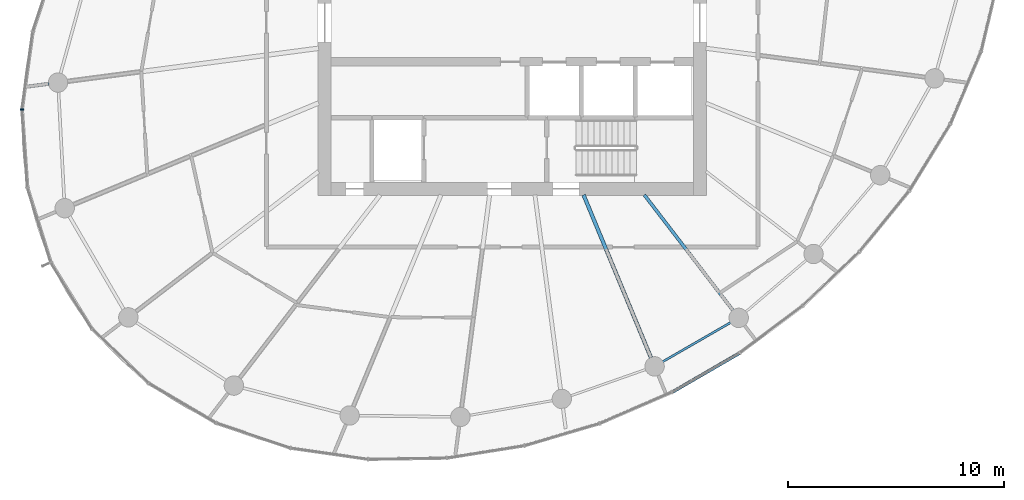
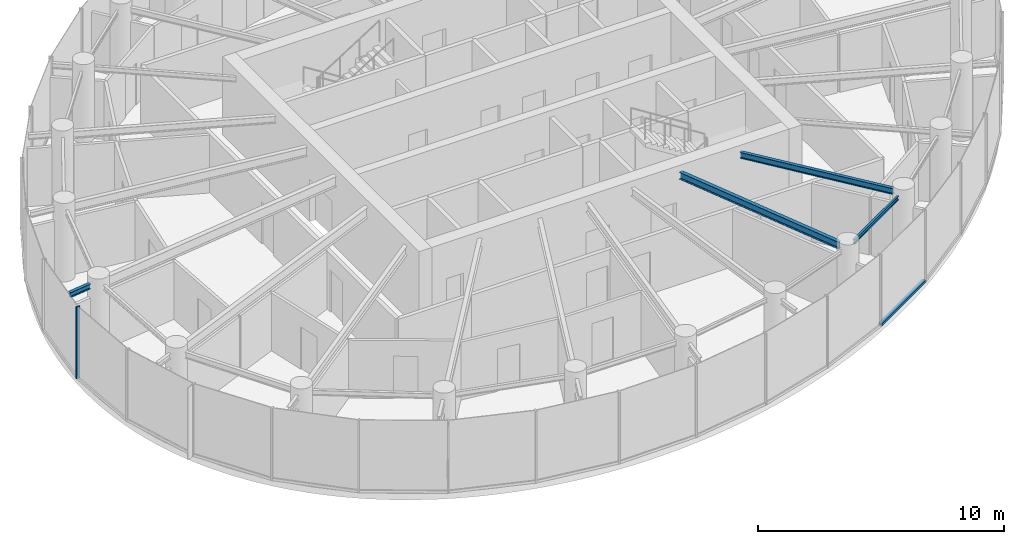
# One storey, part 3 of 15: 4 beams, 2 members, 2 elements without a shape of their own.
"""IFC4 building model written with IfcOpenShell, lengths in metres."""

from ifc_helpers import new_model, si_unit, direction, frame, origin, origin_2d, place, context, subcontext, project, spatial, rectangle, i_section, extrude, source, transform, mapped, material, layer, layer_set, material_profile, profile_set, type_object, element, aggregate, save


model = new_model("IFC4")

# Units and contexts
model_context = context("Model", 3, precision=1e-05, world=origin(), true_north=direction((0.0, 1.0)))
body_context = subcontext(model_context, "Body", "Model", "MODEL_VIEW")
ifc_project = project(units=[si_unit("LENGTHUNIT", "METRE"), si_unit("AREAUNIT", "SQUARE_METRE"), si_unit("VOLUMEUNIT", "CUBIC_METRE"), si_unit("PLANEANGLEUNIT", "RADIAN"), si_unit("MASSUNIT", "GRAM", prefix="KILO")], contexts=[model_context])

# Site, building, storey
site_placement = place(None, origin())
site = spatial("IfcSite", under=ifc_project, at=site_placement, CompositionType="ELEMENT")
building_placement = place(site_placement, origin())
building = spatial("IfcBuilding", under=site, at=building_placement, Name="Spindrift Exchange Tower", CompositionType="ELEMENT")
storey_placement = place(building_placement, frame((0.0, 0.0, 199.39990234375)))
storey = spatial("IfcBuildingStorey", under=building, at=storey_placement, Name="L48", CompositionType="ELEMENT", Elevation=199.39990234375)

# Beams
ifc_material_1 = material(Name="Steel Grade 300", Category="steel")
ifc_material_profile_1 = material_profile(ifc_material_1, i_section(OverallWidth=0.1708984375, OverallDepth=0.35205078125, WebThickness=0.0068359375, FlangeThickness=0.009765625, FilletRadius=0.013916015625, at=origin_2d()), Name="360UB44.7")
ifc_profile_set_1 = profile_set([ifc_material_profile_1], Name="Steel Grade 300")
beam_type_1 = type_object("IfcBeamType", Name="Floor Beam 360UB44.7 Steel Grade 300", PredefinedType="BEAM", material=ifc_profile_set_1)
shared_shape_1 = source(origin(), body_context, "Body", "SweptSolid", [
    extrude(i_section(OverallWidth=0.1708984375, OverallDepth=0.35205078125, WebThickness=0.0068359375, FlangeThickness=0.009765625, FilletRadius=0.013916015625, at=origin_2d()), origin(), (0.0, 0.0, 1.0), 8.1748046875),
])
beam_1_placement = place(storey_placement, frame((55.30615234375, 40.0185546875, 3.404052734375), z_axis=(0.382655117626, -0.923891260352, 0.0), x_axis=(0.923891260352, 0.382655117626, 0.0)))
element("IfcBeam", 1, at=beam_1_placement, inside=storey, type_object=beam_type_1, Name="L48 radial beam R20A", PredefinedType="BEAM", context=body_context, shape_type="MappedRepresentation", body=[
    mapped(shared_shape_1, transform((0.0, 0.0, 0.0), scale=1.0)),
])
ifc_material_profile_2 = material_profile(ifc_material_1, i_section(OverallWidth=0.14892578125, OverallDepth=0.298095703125, WebThickness=0.005615234375, FlangeThickness=0.008056640625, FilletRadius=0.012939453125, at=origin_2d()), Name="310UB32.0")
ifc_profile_set_2 = profile_set([ifc_material_profile_2], Name="Steel Grade 300")
beam_type_2 = type_object("IfcBeamType", Name="Floor Beam 310UB32.0 Steel Grade 300", PredefinedType="BEAM", material=ifc_profile_set_2)
shared_shape_2 = source(origin(), body_context, "Body", "SweptSolid", [
    extrude(i_section(OverallWidth=0.14892578125, OverallDepth=0.298095703125, WebThickness=0.005615234375, FlangeThickness=0.008056640625, FilletRadius=0.012939453125, at=origin_2d()), origin(), (0.0, 0.0, 1.0), 6.753173828125),
])
beam_2_placement = place(storey_placement, frame((58.12646484375, 40.015869140625, 3.43115234375), z_axis=(0.608761639459, -0.793353178807, 0.0), x_axis=(0.793353178807, 0.608761639459, 0.0)))
element("IfcBeam", 2, at=beam_2_placement, inside=storey, type_object=beam_type_2, Name="L48 radial beam R21A", PredefinedType="BEAM", context=body_context, shape_type="MappedRepresentation", body=[
    mapped(shared_shape_2, transform((0.0, 0.0, 0.0), scale=1.0)),
])
ifc_material_profile_3 = material_profile(ifc_material_1, i_section(OverallWidth=0.09912109375, OverallDepth=0.197998046875, WebThickness=0.00439453125, FlangeThickness=0.007080078125, FilletRadius=0.010986328125, at=origin_2d()), Name="200UB18.2")
ifc_profile_set_3 = profile_set([ifc_material_profile_3], Name="Steel Grade 300")
beam_type_3 = type_object("IfcBeamType", Name="Edge Beam 200UB18.2 Steel Grade 300", PredefinedType="SPANDREL", material=ifc_profile_set_3)
shared_shape_3 = source(origin(), body_context, "Body", "SweptSolid", [
    extrude(i_section(OverallWidth=0.09912109375, OverallDepth=0.197998046875, WebThickness=0.00439453125, FlangeThickness=0.007080078125, FilletRadius=0.010986328125, at=origin_2d()), origin(), (0.0, 0.0, 1.0), 3.64208984375),
])
beam_3_placement = place(storey_placement, frame((58.971435546875, 32.283447265625, 3.481201171875), z_axis=(0.866364093123, 0.499412913476, 0.0), x_axis=(-0.499412913476, 0.866364093123, 0.0)))
element("IfcBeam", 3, at=beam_3_placement, inside=storey, type_object=beam_type_3, Name="L48 edge beam E20", PredefinedType="SPANDREL", context=body_context, shape_type="MappedRepresentation", body=[
    mapped(shared_shape_3, transform((0.0, 0.0, 0.0), scale=1.0)),
])
ifc_material_profile_4 = material_profile(ifc_material_1, i_section(OverallWidth=0.14599609375, OverallDepth=0.251953125, WebThickness=0.006103515625, FlangeThickness=0.008544921875, FilletRadius=0.011962890625, at=origin_2d()), Name="250UB31.4")
ifc_profile_set_4 = profile_set([ifc_material_profile_4], Name="Steel Grade 300")
beam_type_4 = type_object("IfcBeamType", Name="Cantilever Beam 250UB31.4 Steel Grade 300", PredefinedType="BEAM", material=ifc_profile_set_4)
shared_shape_4 = source(origin(), body_context, "Body", "SweptSolid", [
    extrude(i_section(OverallWidth=0.14599609375, OverallDepth=0.251953125, WebThickness=0.006103515625, FlangeThickness=0.008544921875, FilletRadius=0.011962890625, at=origin_2d()), origin(), (0.0, 0.0, 1.0), 1.0380859375),
])
beam_4_placement = place(storey_placement, frame((30.511474609375, 45.1708984375, 3.4541015625), z_axis=(-0.991446289497, -0.130515344087, 0.0), x_axis=(0.130515344087, -0.991446289497, 0.0)))
element("IfcBeam", 4, at=beam_4_placement, inside=storey, type_object=beam_type_4, Name="L48 cantilever beam R13T", PredefinedType="BEAM", context=body_context, shape_type="MappedRepresentation", body=[
    mapped(shared_shape_4, transform((0.0, 0.0, 0.0), scale=1.0)),
])

# Curtain wall, member
ifc_material_2 = material(Name="Fritted laminated glass with bronze frame", Category="glass")
ifc_layer = layer(ifc_material_2, 0.169921875)
ifc_layer_set = layer_set([ifc_layer], Name="ZONE 4 BRONZE FRITTED WALL")
curtain_wall_type = type_object("IfcCurtainWallType", Name="ZONE 4 BRONZE FRITTED WALL", PredefinedType="NOTDEFINED", material=ifc_layer_set)
curtain_wall_1_placement = place(storey_placement, origin())
curtain_wall_1 = element("IfcCurtainWall", 5, at=curtain_wall_1_placement, inside=storey, type_object=curtain_wall_type, Name="L48 Zone 4 Bronze Fritted Wall run 5", PredefinedType="NOTDEFINED")
ifc_material_3 = material(Name="Bronze anodised aluminium", Category="aluminium")
ifc_material_profile_5 = material_profile(ifc_material_3, rectangle(XDim=0.14990234375, YDim=0.125, at=origin_2d()), Name="ZONE 4 BRONZE FRITTED WALL TRANSOM 150X125")
ifc_profile_set_5 = profile_set([ifc_material_profile_5], Name="Bronze anodised aluminium")
member_type_1 = type_object("IfcMemberType", Name="ZONE 4 BRONZE FRITTED WALL TRANSOM 150X125", PredefinedType="USERDEFINED", material=ifc_profile_set_5)
shared_shape_5 = source(origin(), body_context, "Body", "SweptSolid", [
    extrude(rectangle(XDim=0.14990234375, YDim=0.125, at=origin_2d()), origin(), (0.0, 0.0, 1.0), 3.577880859375),
])
member_1_placement = place(storey_placement, frame((59.427978515625, 30.87890625, 0.0625), z_axis=(0.865144292232, 0.501523033986, 0.0), x_axis=(-0.501523033986, 0.865144292232, 0.0)))
member_1 = element("IfcMember", 6, at=member_1_placement, type_object=member_type_1, Name="L48 transom CW-4.28", ObjectType="TRANSOM", PredefinedType="USERDEFINED", context=body_context, shape_type="MappedRepresentation", body=[
    mapped(shared_shape_5, transform((0.0, 0.0, 0.0), scale=1.0)),
])
aggregate(curtain_wall_1, [member_1])

curtain_wall_2_placement = place(storey_placement, origin())
curtain_wall_2 = element("IfcCurtainWall", 7, at=curtain_wall_2_placement, inside=storey, type_object=curtain_wall_type, Name="L48 Zone 4 Bronze Fritted Wall run 3", PredefinedType="NOTDEFINED")
ifc_material_profile_6 = material_profile(ifc_material_3, rectangle(XDim=0.06494140625, YDim=0.169921875, at=origin_2d()), Name="ZONE 4 BRONZE FRITTED WALL MULLION 65X170")
ifc_profile_set_6 = profile_set([ifc_material_profile_6], Name="Bronze anodised aluminium")
member_type_2 = type_object("IfcMemberType", Name="ZONE 4 BRONZE FRITTED WALL MULLION 65X170", PredefinedType="MULLION", material=ifc_profile_set_6)
shared_shape_6 = source(origin(), body_context, "Body", "SweptSolid", [
    extrude(rectangle(XDim=0.06494140625, YDim=0.169921875, at=origin_2d()), origin(), (0.0, 0.0, 1.0), 3.580078125),
])
member_2_placement = place(storey_placement, frame((29.260498046875, 43.985595703125, 0.0), z_axis=(0.0, 0.0, 1.0), x_axis=(-0.034269053741, -0.999412643484, 0.0)))
member_2 = element("IfcMember", 8, at=member_2_placement, type_object=member_type_2, Name="L48 mullion CW-4.17", PredefinedType="MULLION", context=body_context, shape_type="MappedRepresentation", body=[
    mapped(shared_shape_6, transform((0.0, 0.0, 0.0), scale=1.0)),
])
aggregate(curtain_wall_2, [member_2])

save(model, "model.ifc")
